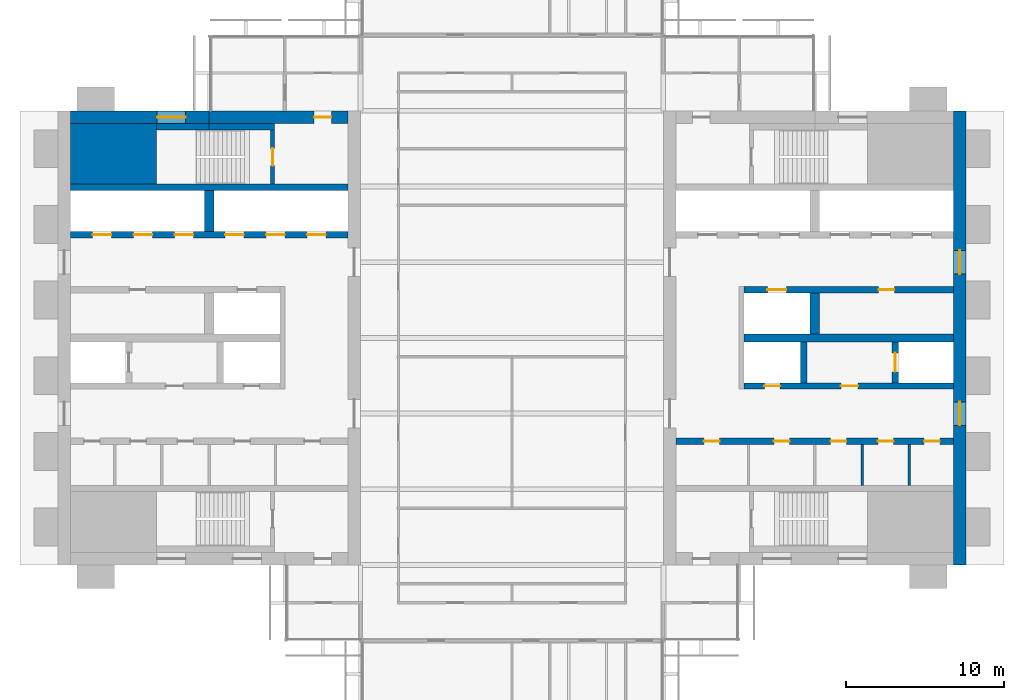
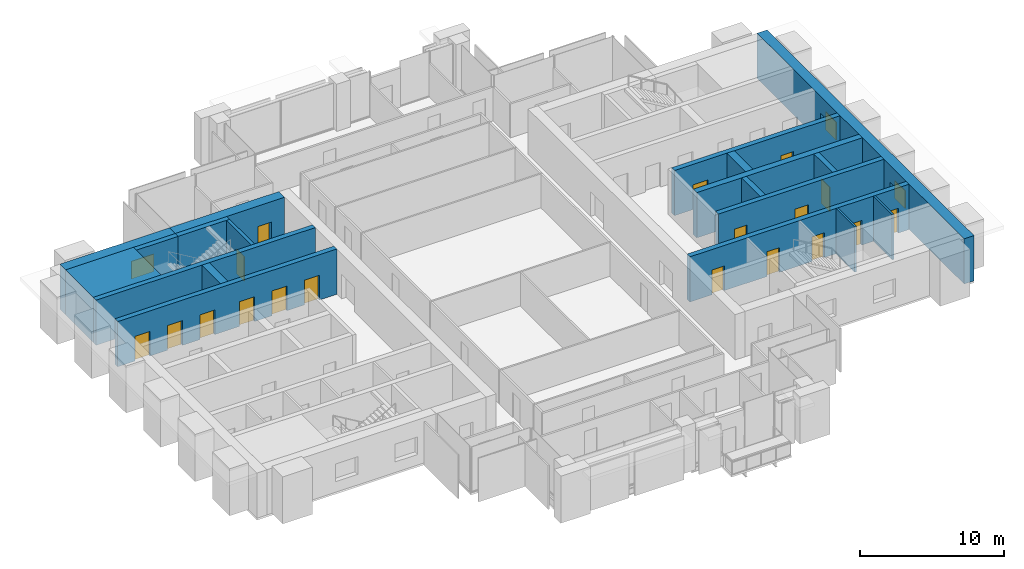
# One storey, part 10 of 14: 19 walls, 18 doors, 3 windows, 21 openings.
"""IFC4 building model written with IfcOpenShell, lengths in metres."""

from ifc_helpers import new_model, si_unit, direction, frame, frame_2d, origin, place, context, subcontext, project, spatial, rectangle, extrude, material, layer, layer_set, type_object, element, fill, save


model = new_model("IFC4")

# Units and contexts
model_context = context("Model", 3, precision=1e-05, world=origin(), true_north=direction((0.0, 1.0)))
body_context = subcontext(model_context, "Body", "Model", "MODEL_VIEW")
ifc_project = project(units=[si_unit("LENGTHUNIT", "METRE"), si_unit("AREAUNIT", "SQUARE_METRE"), si_unit("VOLUMEUNIT", "CUBIC_METRE"), si_unit("PLANEANGLEUNIT", "RADIAN"), si_unit("MASSUNIT", "GRAM", prefix="KILO")], contexts=[model_context])

# Site, building, storey
site_placement = place(None, origin())
site = spatial("IfcSite", under=ifc_project, at=site_placement, CompositionType="ELEMENT")
building_placement = place(site_placement, origin())
building = spatial("IfcBuilding", under=site, at=building_placement, Name="Baori Bourse Tower", CompositionType="ELEMENT")
storey_placement = place(building_placement, frame((0.0, 0.0, 245.199951171875)))
storey = spatial("IfcBuildingStorey", under=building, at=storey_placement, Name="L54", CompositionType="ELEMENT", Elevation=245.199951171875)

# Walls
ifc_material_1 = material(Name="Concrete f'c 50 MPa", Category="concrete")
wall_type_1 = type_object("IfcWallType", Name="Core corner block f'c 50", PredefinedType="SHEAR", material=ifc_material_1)
wall_1_placement = place(storey_placement, frame((0.800048828125, 35.675048828125, 0.0), z_axis=(0.0, 0.0, 1.0), x_axis=(1.0, 0.0, 0.0)))
element("IfcWall", 1, at=wall_1_placement, inside=storey, type_object=wall_type_1, Name="Core wall W24", PredefinedType="SHEAR", context=body_context, shape_type="SweptSolid", body=[
    extrude(rectangle(XDim=5.449951171875, YDim=3.85009765625, at=frame_2d((2.72509765625, 0.0))), origin(), (0.0, 0.0, 1.0), 3.840087890625),
])
ifc_material_2 = material(Name="Blockwork partition", Category="masonry")
ifc_layer_1 = layer(ifc_material_2, 0.14990234375)
ifc_layer_set_1 = layer_set([ifc_layer_1], Name="Core partition 150")
wall_type_2 = type_object("IfcWallType", Name="Core partition 150", PredefinedType="PARTITIONING", material=ifc_layer_set_1)
for number, where, z_axis, x_axis, name in (
    (2, (54.0, 14.64990234375, 0.0), (0.0, 0.0, 1.0), (0.0, 1.0, 0.0), "Partition wall E09"),
    (3, (51.0, 14.64990234375, 0.0), (0.0, 0.0, 1.0), (0.0, 1.0, 0.0), "Partition wall E10"),
):
    element("IfcWall", number, at=place(storey_placement, frame(where, z_axis=z_axis, x_axis=x_axis)), inside=storey, type_object=wall_type_2, Name=name, PredefinedType="PARTITIONING", context=body_context, shape_type="SweptSolid", body=[
        extrude(rectangle(XDim=2.60009765625, YDim=0.14990234375, at=frame_2d((1.300048828125, 0.0))), origin(), (0.0, 0.0, 1.0), 3.840087890625),
    ])

# Wall, opening, window
ifc_material_3 = material(Name="Concrete f'c 50 MPa", Category="concrete")
ifc_layer_2 = layer(ifc_material_3, 0.800048828125)
ifc_layer_set_2 = layer_set([ifc_layer_2], Name="Core wall 800 f'c 50")
wall_type_3 = type_object("IfcWallType", Name="Core wall 800 f'c 50", PredefinedType="SHEAR", material=ifc_layer_set_2)
wall_2_placement = place(storey_placement, frame((0.800048828125, 38.0, 0.0), z_axis=(0.0, 0.0, 1.0), x_axis=(1.0, 0.0, 0.0)))
wall_2 = element("IfcWall", 4, at=wall_2_placement, inside=storey, type_object=wall_type_3, Name="Core wall W28", PredefinedType="SHEAR", context=body_context, shape_type="SweptSolid", body=[
    extrude(rectangle(XDim=8.800048828125, YDim=0.800048828125, at=frame_2d((4.39990234375, 0.0))), origin(), (0.0, 0.0, 1.0), 3.840087890625),
])
opening_1_placement = place(wall_2_placement, frame((5.5, 0.0, 0.89990234375)))
opening_1 = element("IfcOpeningElement", 5, at=opening_1_placement, cuts=wall_2, Name="Opening L54-KW105", PredefinedType="OPENING", context=body_context, shape_type="SweptSolid", body=[
    extrude(rectangle(XDim=1.800048828125, YDim=1.5, at=frame_2d((0.89990234375, 0.75))), frame((0.0, 0.409912109375, 0.0), z_axis=(0.0, -1.0, 0.0), x_axis=(1.0, 0.0, 0.0)), (0.0, 0.0, 1.0), 0.820068359375),
])
ifc_material_4 = material(Name="Pale anodised aluminium", Category="aluminium")
window_type_1 = type_object("IfcWindowType", Name="Stair window 1800 x 1500", PartitioningType="SINGLE_PANEL", PredefinedType="WINDOW", material=ifc_material_4)
window_1_placement = place(opening_1_placement, origin())
window_1 = element("IfcWindow", 6, at=window_1_placement, inside=storey, type_object=window_type_1, Name="Stair window W L54 5", OverallHeight=1.5, OverallWidth=1.800048828125, PartitioningType="SINGLE_PANEL", PredefinedType="WINDOW", context=body_context, shape_type="SweptSolid", body=[
    extrude(rectangle(XDim=1.800048828125, YDim=1.5, at=frame_2d((0.89990234375, 0.75))), frame((0.0, 0.030029296875, 0.0), z_axis=(0.0, -1.0, 0.0), x_axis=(1.0, 0.0, 0.0)), (0.0, 0.0, 1.0), 0.06005859375),
])
fill(opening_1, window_1)

# Wall, opening, door
wall_3_placement = place(storey_placement, frame((9.60009765625, 38.0, 0.0), z_axis=(0.0, 0.0, 1.0), x_axis=(1.0, 0.0, 0.0)))
wall_3 = element("IfcWall", 7, at=wall_3_placement, inside=storey, type_object=wall_type_3, Name="Core wall W29", PredefinedType="SHEAR", context=body_context, shape_type="SweptSolid", body=[
    extrude(rectangle(XDim=8.7998046875, YDim=0.800048828125, at=frame_2d((4.39990234375, 0.0))), origin(), (0.0, 0.0, 1.0), 3.840087890625),
])
opening_2_placement = place(wall_3_placement, frame((6.64990234375, 0.0, 0.0)))
opening_2 = element("IfcOpeningElement", 8, at=opening_2_placement, cuts=wall_3, Name="Opening L54-D104", PredefinedType="OPENING", context=body_context, shape_type="SweptSolid", body=[
    extrude(rectangle(XDim=1.10009765625, YDim=2.10009765625, at=frame_2d((0.550048828125, 1.050048828125))), frame((0.0, 0.409912109375, 0.0), z_axis=(0.0, -1.0, 0.0), x_axis=(1.0, 0.0, 0.0)), (0.0, 0.0, 1.0), 0.820068359375),
])
ifc_material_5 = material(Name="Painted steel door", Category="steel")
door_type_1 = type_object("IfcDoorType", Name="Stair door 1100", OperationType="SINGLE_SWING_LEFT", PredefinedType="DOOR", material=ifc_material_5)
door_1_placement = place(opening_2_placement, origin())
door_1 = element("IfcDoor", 9, at=door_1_placement, inside=storey, type_object=door_type_1, Name="Stair vestibule door B W L54", OperationType="SINGLE_SWING_LEFT", OverallHeight=2.10009765625, OverallWidth=1.10009765625, PredefinedType="DOOR", context=body_context, shape_type="SweptSolid", body=[
    extrude(rectangle(XDim=1.10009765625, YDim=2.10009765625, at=frame_2d((0.550048828125, 1.050048828125))), frame((0.0, 0.02490234375, 0.0), z_axis=(0.0, -1.0, 0.0), x_axis=(1.0, 0.0, 0.0)), (0.0, 0.0, 1.0), 0.050048828125),
])
fill(opening_2, door_1)

# Wall, openings, windows
wall_4_placement = place(storey_placement, frame((57.199951171875, 38.39990234375, 0.0), z_axis=(0.0, 0.0, 1.0), x_axis=(0.0, -1.0, 0.0)))
wall_4 = element("IfcWall", 10, at=wall_4_placement, inside=storey, type_object=wall_type_3, Name="Core wall E01", PredefinedType="SHEAR", context=body_context, shape_type="SweptSolid", body=[
    extrude(rectangle(XDim=28.7998046875, YDim=0.800048828125, at=frame_2d((14.39990234375, 0.0))), origin(), (0.0, 0.0, 1.0), 3.840087890625),
])
opening_3_placement = place(wall_4_placement, frame((18.449951171875, 0.0, 0.89990234375)))
opening_3 = element("IfcOpeningElement", 11, at=opening_3_placement, cuts=wall_4, Name="Opening L54-KW201", PredefinedType="OPENING", context=body_context, shape_type="SweptSolid", body=[
    extrude(rectangle(XDim=1.5, YDim=1.5, at=frame_2d((0.75, 0.75))), frame((0.0, 0.409912109375, 0.0), z_axis=(0.0, -1.0, 0.0), x_axis=(1.0, 0.0, 0.0)), (0.0, 0.0, 1.0), 0.820068359375),
])
opening_4_placement = place(wall_4_placement, frame((8.85009765625, 0.0, 0.89990234375)))
opening_4 = element("IfcOpeningElement", 12, at=opening_4_placement, cuts=wall_4, Name="Opening L54-KW202", PredefinedType="OPENING", context=body_context, shape_type="SweptSolid", body=[
    extrude(rectangle(XDim=1.5, YDim=1.5, at=frame_2d((0.75, 0.75))), frame((0.0, 0.409912109375, 0.0), z_axis=(0.0, -1.0, 0.0), x_axis=(1.0, 0.0, 0.0)), (0.0, 0.0, 1.0), 0.820068359375),
])
ifc_material_6 = material(Name="Pale anodised aluminium", Category="aluminium")
window_type_2 = type_object("IfcWindowType", Name="Lobby window 1500 x 1500", PartitioningType="SINGLE_PANEL", PredefinedType="WINDOW", material=ifc_material_6)
window_2_placement = place(opening_3_placement, origin())
window_2 = element("IfcWindow", 13, at=window_2_placement, inside=storey, type_object=window_type_2, Name="Outer wall window E L54 1", OverallHeight=1.5, OverallWidth=1.5, PartitioningType="SINGLE_PANEL", PredefinedType="WINDOW", context=body_context, shape_type="SweptSolid", body=[
    extrude(rectangle(XDim=1.5, YDim=1.5, at=frame_2d((0.75, 0.75))), frame((0.0, 0.030029296875, 0.0), z_axis=(0.0, -1.0, 0.0), x_axis=(1.0, 0.0, 0.0)), (0.0, 0.0, 1.0), 0.06005859375),
])
fill(opening_3, window_2)
window_3_placement = place(opening_4_placement, origin())
window_3 = element("IfcWindow", 14, at=window_3_placement, inside=storey, type_object=window_type_2, Name="Outer wall window E L54 2", OverallHeight=1.5, OverallWidth=1.5, PartitioningType="SINGLE_PANEL", PredefinedType="WINDOW", context=body_context, shape_type="SweptSolid", body=[
    extrude(rectangle(XDim=1.5, YDim=1.5, at=frame_2d((0.75, 0.75))), frame((0.0, 0.030029296875, 0.0), z_axis=(0.0, -1.0, 0.0), x_axis=(1.0, 0.0, 0.0)), (0.0, 0.0, 1.0), 0.06005859375),
])
fill(opening_4, window_3)

# Wall, opening, door
ifc_material_7 = material(Name="Concrete f'c 50 MPa", Category="concrete")
ifc_layer_3 = layer(ifc_material_7, 0.25)
ifc_layer_set_3 = layer_set([ifc_layer_3], Name="Shaft wall 250 f'c 50")
wall_type_4 = type_object("IfcWallType", Name="Shaft wall 250 f'c 50", PredefinedType="SHEAR", material=ifc_layer_set_3)
wall_5_placement = place(storey_placement, frame((13.625, 33.75, 0.0), z_axis=(0.0, 0.0, 1.0), x_axis=(0.0, 1.0, 0.0)))
wall_5 = element("IfcWall", 15, at=wall_5_placement, inside=storey, type_object=wall_type_4, Name="Core wall W25", PredefinedType="SHEAR", context=body_context, shape_type="SweptSolid", body=[
    extrude(rectangle(XDim=3.449951171875, YDim=0.25, at=frame_2d((1.72509765625, 0.0))), origin(), (0.0, 0.0, 1.0), 3.840087890625),
])
opening_5_placement = place(wall_5_placement, frame((1.175048828125, 0.0, 0.0)))
opening_5 = element("IfcOpeningElement", 16, at=opening_5_placement, cuts=wall_5, Name="Opening L54-D103", PredefinedType="OPENING", context=body_context, shape_type="SweptSolid", body=[
    extrude(rectangle(XDim=1.10009765625, YDim=2.10009765625, at=frame_2d((0.550048828125, 1.050048828125))), frame((0.0, 0.135009765625, 0.0), z_axis=(0.0, -1.0, 0.0), x_axis=(1.0, 0.0, 0.0)), (0.0, 0.0, 1.0), 0.27001953125),
])
door_2_placement = place(opening_5_placement, origin())
door_2 = element("IfcDoor", 17, at=door_2_placement, inside=storey, type_object=door_type_1, Name="Stair door B W L54", OperationType="SINGLE_SWING_LEFT", OverallHeight=2.10009765625, OverallWidth=1.10009765625, PredefinedType="DOOR", context=body_context, shape_type="SweptSolid", body=[
    extrude(rectangle(XDim=1.10009765625, YDim=2.10009765625, at=frame_2d((0.550048828125, 1.050048828125))), frame((0.0, 0.02490234375, 0.0), z_axis=(0.0, -1.0, 0.0), x_axis=(1.0, 0.0, 0.0)), (0.0, 0.0, 1.0), 0.050048828125),
])
fill(opening_5, door_2)

# Wall, openings, doors
ifc_material_8 = material(Name="Concrete f'c 50 MPa", Category="concrete")
ifc_layer_4 = layer(ifc_material_8, 0.39990234375)
ifc_layer_set_4 = layer_set([ifc_layer_4], Name="Shaft wall 400 f'c 50")
wall_type_5 = type_object("IfcWallType", Name="Shaft wall 400 f'c 50", PredefinedType="SHEAR", material=ifc_layer_set_4)
wall_6_placement = place(storey_placement, frame((0.800048828125, 30.550048828125, 0.0), z_axis=(0.0, 0.0, 1.0), x_axis=(1.0, 0.0, 0.0)))
wall_6 = element("IfcWall", 18, at=wall_6_placement, inside=storey, type_object=wall_type_5, Name="Core wall W21", PredefinedType="SHEAR", context=body_context, shape_type="SweptSolid", body=[
    extrude(rectangle(XDim=17.599853515625, YDim=0.39990234375, at=frame_2d((8.7998046875, 0.0))), origin(), (0.0, 0.0, 1.0), 3.840087890625),
])
opening_6_placement = place(wall_6_placement, frame((1.39990234375, 0.0, 0.0)))
opening_6 = element("IfcOpeningElement", 19, at=opening_6_placement, cuts=wall_6, Name="Opening L54-D115", PredefinedType="OPENING", context=body_context, shape_type="SweptSolid", body=[
    extrude(rectangle(XDim=1.199951171875, YDim=2.10009765625, at=frame_2d((0.60009765625, 1.050048828125))), frame((0.0, 0.2099609375, 0.0), z_axis=(0.0, -1.0, 0.0), x_axis=(1.0, 0.0, 0.0)), (0.0, 0.0, 1.0), 0.419921875),
])
opening_7_placement = place(wall_6_placement, frame((4.0, 0.0, 0.0)))
opening_7 = element("IfcOpeningElement", 20, at=opening_7_placement, cuts=wall_6, Name="Opening L54-D116", PredefinedType="OPENING", context=body_context, shape_type="SweptSolid", body=[
    extrude(rectangle(XDim=1.199951171875, YDim=2.10009765625, at=frame_2d((0.60009765625, 1.050048828125))), frame((0.0, 0.2099609375, 0.0), z_axis=(0.0, -1.0, 0.0), x_axis=(1.0, 0.0, 0.0)), (0.0, 0.0, 1.0), 0.419921875),
])
opening_8_placement = place(wall_6_placement, frame((6.60009765625, 0.0, 0.0)))
opening_8 = element("IfcOpeningElement", 21, at=opening_8_placement, cuts=wall_6, Name="Opening L54-D117", PredefinedType="OPENING", context=body_context, shape_type="SweptSolid", body=[
    extrude(rectangle(XDim=1.199951171875, YDim=2.10009765625, at=frame_2d((0.60009765625, 1.050048828125))), frame((0.0, 0.2099609375, 0.0), z_axis=(0.0, -1.0, 0.0), x_axis=(1.0, 0.0, 0.0)), (0.0, 0.0, 1.0), 0.419921875),
])
opening_9_placement = place(wall_6_placement, frame((9.800048828125, 0.0, 0.0)))
opening_9 = element("IfcOpeningElement", 22, at=opening_9_placement, cuts=wall_6, Name="Opening L54-D118", PredefinedType="OPENING", context=body_context, shape_type="SweptSolid", body=[
    extrude(rectangle(XDim=1.199951171875, YDim=2.10009765625, at=frame_2d((0.60009765625, 1.050048828125))), frame((0.0, 0.2099609375, 0.0), z_axis=(0.0, -1.0, 0.0), x_axis=(1.0, 0.0, 0.0)), (0.0, 0.0, 1.0), 0.419921875),
])
opening_10_placement = place(wall_6_placement, frame((12.39990234375, 0.0, 0.0)))
opening_10 = element("IfcOpeningElement", 23, at=opening_10_placement, cuts=wall_6, Name="Opening L54-D119", PredefinedType="OPENING", context=body_context, shape_type="SweptSolid", body=[
    extrude(rectangle(XDim=1.199951171875, YDim=2.10009765625, at=frame_2d((0.60009765625, 1.050048828125))), frame((0.0, 0.2099609375, 0.0), z_axis=(0.0, -1.0, 0.0), x_axis=(1.0, 0.0, 0.0)), (0.0, 0.0, 1.0), 0.419921875),
])
opening_11_placement = place(wall_6_placement, frame((15.0, 0.0, 0.0)))
opening_11 = element("IfcOpeningElement", 24, at=opening_11_placement, cuts=wall_6, Name="Opening L54-D120", PredefinedType="OPENING", context=body_context, shape_type="SweptSolid", body=[
    extrude(rectangle(XDim=1.199951171875, YDim=2.10009765625, at=frame_2d((0.60009765625, 1.050048828125))), frame((0.0, 0.2099609375, 0.0), z_axis=(0.0, -1.0, 0.0), x_axis=(1.0, 0.0, 0.0)), (0.0, 0.0, 1.0), 0.419921875),
])
ifc_material_9 = material(Name="Stainless steel door", Category="steel")
door_type_2 = type_object("IfcDoorType", Name="Lift landing door", OperationType="DOUBLE_DOOR_SLIDING", PredefinedType="DOOR", material=ifc_material_9)
door_3_placement = place(opening_6_placement, origin())
door_3 = element("IfcDoor", 25, at=door_3_placement, inside=storey, type_object=door_type_2, Name="Lift landing door HR1 W L54", OperationType="DOUBLE_DOOR_SLIDING", OverallHeight=2.10009765625, OverallWidth=1.199951171875, PredefinedType="DOOR", context=body_context, shape_type="SweptSolid", body=[
    extrude(rectangle(XDim=1.199951171875, YDim=2.10009765625, at=frame_2d((0.60009765625, 1.050048828125))), frame((0.0, 0.02490234375, 0.0), z_axis=(0.0, -1.0, 0.0), x_axis=(1.0, 0.0, 0.0)), (0.0, 0.0, 1.0), 0.050048828125),
])
fill(opening_6, door_3)
door_4_placement = place(opening_7_placement, origin())
door_4 = element("IfcDoor", 26, at=door_4_placement, inside=storey, type_object=door_type_2, Name="Lift landing door HR2 W L54", OperationType="DOUBLE_DOOR_SLIDING", OverallHeight=2.10009765625, OverallWidth=1.199951171875, PredefinedType="DOOR", context=body_context, shape_type="SweptSolid", body=[
    extrude(rectangle(XDim=1.199951171875, YDim=2.10009765625, at=frame_2d((0.60009765625, 1.050048828125))), frame((0.0, 0.02490234375, 0.0), z_axis=(0.0, -1.0, 0.0), x_axis=(1.0, 0.0, 0.0)), (0.0, 0.0, 1.0), 0.050048828125),
])
fill(opening_7, door_4)
door_5_placement = place(opening_8_placement, origin())
door_5 = element("IfcDoor", 27, at=door_5_placement, inside=storey, type_object=door_type_2, Name="Lift landing door HR3 W L54", OperationType="DOUBLE_DOOR_SLIDING", OverallHeight=2.10009765625, OverallWidth=1.199951171875, PredefinedType="DOOR", context=body_context, shape_type="SweptSolid", body=[
    extrude(rectangle(XDim=1.199951171875, YDim=2.10009765625, at=frame_2d((0.60009765625, 1.050048828125))), frame((0.0, 0.02490234375, 0.0), z_axis=(0.0, -1.0, 0.0), x_axis=(1.0, 0.0, 0.0)), (0.0, 0.0, 1.0), 0.050048828125),
])
fill(opening_8, door_5)
door_6_placement = place(opening_9_placement, origin())
door_6 = element("IfcDoor", 28, at=door_6_placement, inside=storey, type_object=door_type_2, Name="Lift landing door HR4 W L54", OperationType="DOUBLE_DOOR_SLIDING", OverallHeight=2.10009765625, OverallWidth=1.199951171875, PredefinedType="DOOR", context=body_context, shape_type="SweptSolid", body=[
    extrude(rectangle(XDim=1.199951171875, YDim=2.10009765625, at=frame_2d((0.60009765625, 1.050048828125))), frame((0.0, 0.02490234375, 0.0), z_axis=(0.0, -1.0, 0.0), x_axis=(1.0, 0.0, 0.0)), (0.0, 0.0, 1.0), 0.050048828125),
])
fill(opening_9, door_6)
door_7_placement = place(opening_10_placement, origin())
door_7 = element("IfcDoor", 29, at=door_7_placement, inside=storey, type_object=door_type_2, Name="Lift landing door HR5 W L54", OperationType="DOUBLE_DOOR_SLIDING", OverallHeight=2.10009765625, OverallWidth=1.199951171875, PredefinedType="DOOR", context=body_context, shape_type="SweptSolid", body=[
    extrude(rectangle(XDim=1.199951171875, YDim=2.10009765625, at=frame_2d((0.60009765625, 1.050048828125))), frame((0.0, 0.02490234375, 0.0), z_axis=(0.0, -1.0, 0.0), x_axis=(1.0, 0.0, 0.0)), (0.0, 0.0, 1.0), 0.050048828125),
])
fill(opening_10, door_7)
door_8_placement = place(opening_11_placement, origin())
door_8 = element("IfcDoor", 30, at=door_8_placement, inside=storey, type_object=door_type_2, Name="Lift landing door HR6 W L54", OperationType="DOUBLE_DOOR_SLIDING", OverallHeight=2.10009765625, OverallWidth=1.199951171875, PredefinedType="DOOR", context=body_context, shape_type="SweptSolid", body=[
    extrude(rectangle(XDim=1.199951171875, YDim=2.10009765625, at=frame_2d((0.60009765625, 1.050048828125))), frame((0.0, 0.02490234375, 0.0), z_axis=(0.0, -1.0, 0.0), x_axis=(1.0, 0.0, 0.0)), (0.0, 0.0, 1.0), 0.050048828125),
])
fill(opening_11, door_8)

# Walls
wall_7_placement = place(storey_placement, frame((0.800048828125, 33.550048828125, 0.0), z_axis=(0.0, 0.0, 1.0), x_axis=(1.0, 0.0, 0.0)))
element("IfcWall", 31, at=wall_7_placement, inside=storey, type_object=wall_type_5, Name="Core wall W23", PredefinedType="SHEAR", context=body_context, shape_type="SweptSolid", body=[
    extrude(rectangle(XDim=17.599853515625, YDim=0.39990234375, at=frame_2d((8.7998046875, 0.0))), origin(), (0.0, 0.0, 1.0), 3.840087890625),
])
wall_8_placement = place(storey_placement, frame((6.25, 37.39990234375, 0.0), z_axis=(0.0, 0.0, 1.0), x_axis=(1.0, 0.0, 0.0)))
element("IfcWall", 32, at=wall_8_placement, inside=storey, type_object=wall_type_5, Name="Core wall W26", PredefinedType="SHEAR", context=body_context, shape_type="SweptSolid", body=[
    extrude(rectangle(XDim=3.35009765625, YDim=0.39990234375, at=frame_2d((1.675048828125, 0.0))), origin(), (0.0, 0.0, 1.0), 3.840087890625),
])
wall_9_placement = place(storey_placement, frame((9.60009765625, 37.39990234375, 0.0), z_axis=(0.0, 0.0, 1.0), x_axis=(1.0, 0.0, 0.0)))
element("IfcWall", 33, at=wall_9_placement, inside=storey, type_object=wall_type_5, Name="Core wall W27", PredefinedType="SHEAR", context=body_context, shape_type="SweptSolid", body=[
    extrude(rectangle(XDim=4.14990234375, YDim=0.39990234375, at=frame_2d((2.074951171875, 0.0))), origin(), (0.0, 0.0, 1.0), 3.840087890625),
])

# Wall, openings, doors
wall_10_placement = place(storey_placement, frame((39.199951171875, 17.449951171875, 0.0), z_axis=(0.0, 0.0, 1.0), x_axis=(1.0, 0.0, 0.0)))
wall_10 = element("IfcWall", 34, at=wall_10_placement, inside=storey, type_object=wall_type_5, Name="Core wall E13", PredefinedType="SHEAR", context=body_context, shape_type="SweptSolid", body=[
    extrude(rectangle(XDim=17.60009765625, YDim=0.39990234375, at=frame_2d((8.800048828125, 0.0))), origin(), (0.0, 0.0, 1.0), 3.840087890625),
])
opening_12_placement = place(wall_10_placement, frame((15.737548828125, 0.0, 0.0)))
opening_12 = element("IfcOpeningElement", 35, at=opening_12_placement, cuts=wall_10, Name="Opening L54-D209", PredefinedType="OPENING", context=body_context, shape_type="SweptSolid", body=[
    extrude(rectangle(XDim=1.0, YDim=2.10009765625, at=frame_2d((0.5, 1.050048828125))), frame((0.0, 0.2099609375, 0.0), z_axis=(0.0, -1.0, 0.0), x_axis=(1.0, 0.0, 0.0)), (0.0, 0.0, 1.0), 0.419921875),
])
opening_13_placement = place(wall_10_placement, frame((12.800048828125, 0.0, 0.0)))
opening_13 = element("IfcOpeningElement", 36, at=opening_13_placement, cuts=wall_10, Name="Opening L54-D210", PredefinedType="OPENING", context=body_context, shape_type="SweptSolid", body=[
    extrude(rectangle(XDim=1.0, YDim=2.10009765625, at=frame_2d((0.5, 1.050048828125))), frame((0.0, 0.2099609375, 0.0), z_axis=(0.0, -1.0, 0.0), x_axis=(1.0, 0.0, 0.0)), (0.0, 0.0, 1.0), 0.419921875),
])
opening_14_placement = place(wall_10_placement, frame((9.800048828125, 0.0, 0.0)))
opening_14 = element("IfcOpeningElement", 37, at=opening_14_placement, cuts=wall_10, Name="Opening L54-D211", PredefinedType="OPENING", context=body_context, shape_type="SweptSolid", body=[
    extrude(rectangle(XDim=1.0, YDim=2.10009765625, at=frame_2d((0.5, 1.050048828125))), frame((0.0, 0.2099609375, 0.0), z_axis=(0.0, -1.0, 0.0), x_axis=(1.0, 0.0, 0.0)), (0.0, 0.0, 1.0), 0.419921875),
])
opening_15_placement = place(wall_10_placement, frame((6.199951171875, 0.0, 0.0)))
opening_15 = element("IfcOpeningElement", 38, at=opening_15_placement, cuts=wall_10, Name="Opening L54-D212", PredefinedType="OPENING", context=body_context, shape_type="SweptSolid", body=[
    extrude(rectangle(XDim=1.0, YDim=2.10009765625, at=frame_2d((0.5, 1.050048828125))), frame((0.0, 0.2099609375, 0.0), z_axis=(0.0, -1.0, 0.0), x_axis=(1.0, 0.0, 0.0)), (0.0, 0.0, 1.0), 0.419921875),
])
opening_16_placement = place(wall_10_placement, frame((1.762451171875, 0.0, 0.0)))
opening_16 = element("IfcOpeningElement", 39, at=opening_16_placement, cuts=wall_10, Name="Opening L54-D213", PredefinedType="OPENING", context=body_context, shape_type="SweptSolid", body=[
    extrude(rectangle(XDim=1.0, YDim=2.10009765625, at=frame_2d((0.5, 1.050048828125))), frame((0.0, 0.2099609375, 0.0), z_axis=(0.0, -1.0, 0.0), x_axis=(1.0, 0.0, 0.0)), (0.0, 0.0, 1.0), 0.419921875),
])
ifc_material_10 = material(Name="Painted steel door", Category="steel")
door_type_3 = type_object("IfcDoorType", Name="Core door 1000", OperationType="SINGLE_SWING_LEFT", PredefinedType="DOOR", material=ifc_material_10)
door_9_placement = place(opening_12_placement, origin())
door_9 = element("IfcDoor", 40, at=door_9_placement, inside=storey, type_object=door_type_3, Name="Janitor'S Closet door E L54", OperationType="SINGLE_SWING_LEFT", OverallHeight=2.10009765625, OverallWidth=1.0, PredefinedType="DOOR", context=body_context, shape_type="SweptSolid", body=[
    extrude(rectangle(XDim=1.0, YDim=2.10009765625, at=frame_2d((0.5, 1.050048828125))), frame((0.0, 0.02490234375, 0.0), z_axis=(0.0, -1.0, 0.0), x_axis=(1.0, 0.0, 0.0)), (0.0, 0.0, 1.0), 0.050048828125),
])
fill(opening_12, door_9)
door_10_placement = place(opening_13_placement, origin())
door_10 = element("IfcDoor", 41, at=door_10_placement, inside=storey, type_object=door_type_3, Name="Accessible Wc door E L54", OperationType="SINGLE_SWING_LEFT", OverallHeight=2.10009765625, OverallWidth=1.0, PredefinedType="DOOR", context=body_context, shape_type="SweptSolid", body=[
    extrude(rectangle(XDim=1.0, YDim=2.10009765625, at=frame_2d((0.5, 1.050048828125))), frame((0.0, 0.02490234375, 0.0), z_axis=(0.0, -1.0, 0.0), x_axis=(1.0, 0.0, 0.0)), (0.0, 0.0, 1.0), 0.050048828125),
])
fill(opening_13, door_10)
door_11_placement = place(opening_15_placement, origin())
door_11 = element("IfcDoor", 42, at=door_11_placement, inside=storey, type_object=door_type_3, Name="Men'S Wc door E L54", OperationType="SINGLE_SWING_LEFT", OverallHeight=2.10009765625, OverallWidth=1.0, PredefinedType="DOOR", context=body_context, shape_type="SweptSolid", body=[
    extrude(rectangle(XDim=1.0, YDim=2.10009765625, at=frame_2d((0.5, 1.050048828125))), frame((0.0, 0.02490234375, 0.0), z_axis=(0.0, -1.0, 0.0), x_axis=(1.0, 0.0, 0.0)), (0.0, 0.0, 1.0), 0.050048828125),
])
fill(opening_15, door_11)
door_12_placement = place(opening_16_placement, origin())
door_12 = element("IfcDoor", 43, at=door_12_placement, inside=storey, type_object=door_type_3, Name="Women'S Wc door E L54", OperationType="SINGLE_SWING_LEFT", OverallHeight=2.10009765625, OverallWidth=1.0, PredefinedType="DOOR", context=body_context, shape_type="SweptSolid", body=[
    extrude(rectangle(XDim=1.0, YDim=2.10009765625, at=frame_2d((0.5, 1.050048828125))), frame((0.0, 0.02490234375, 0.0), z_axis=(0.0, -1.0, 0.0), x_axis=(1.0, 0.0, 0.0)), (0.0, 0.0, 1.0), 0.050048828125),
])
fill(opening_16, door_12)
ifc_material_11 = material(Name="Painted steel door", Category="steel")
door_type_4 = type_object("IfcDoorType", Name="Plant room door 1000", OperationType="SINGLE_SWING_LEFT", PredefinedType="DOOR", material=ifc_material_11)
door_13_placement = place(opening_14_placement, origin())
door_13 = element("IfcDoor", 44, at=door_13_placement, inside=storey, type_object=door_type_4, Name="Plumbing Equipment Room door E L54", OperationType="SINGLE_SWING_LEFT", OverallHeight=2.10009765625, OverallWidth=1.0, PredefinedType="DOOR", context=body_context, shape_type="SweptSolid", body=[
    extrude(rectangle(XDim=1.0, YDim=2.10009765625, at=frame_2d((0.5, 1.050048828125))), frame((0.0, 0.02490234375, 0.0), z_axis=(0.0, -1.0, 0.0), x_axis=(1.0, 0.0, 0.0)), (0.0, 0.0, 1.0), 0.050048828125),
])
fill(opening_14, door_13)

wall_11_placement = place(storey_placement, frame((43.5, 20.949951171875, 0.0), z_axis=(0.0, 0.0, 1.0), x_axis=(1.0, 0.0, 0.0)))
wall_11 = element("IfcWall", 45, at=wall_11_placement, inside=storey, type_object=wall_type_5, Name="Core wall E14", PredefinedType="SHEAR", context=body_context, shape_type="SweptSolid", body=[
    extrude(rectangle(XDim=13.300048828125, YDim=0.39990234375, at=frame_2d((6.64990234375, 0.0))), origin(), (0.0, 0.0, 1.0), 3.840087890625),
])
opening_17_placement = place(wall_11_placement, frame((6.14990234375, 0.0, 0.0)))
opening_17 = element("IfcOpeningElement", 46, at=opening_17_placement, cuts=wall_11, Name="Opening L54-D205", PredefinedType="OPENING", context=body_context, shape_type="SweptSolid", body=[
    extrude(rectangle(XDim=1.10009765625, YDim=2.10009765625, at=frame_2d((0.550048828125, 1.050048828125))), frame((0.0, 0.2099609375, 0.0), z_axis=(0.0, -1.0, 0.0), x_axis=(1.0, 0.0, 0.0)), (0.0, 0.0, 1.0), 0.419921875),
])
opening_18_placement = place(wall_11_placement, frame((1.300048828125, 0.0, 0.0)))
opening_18 = element("IfcOpeningElement", 47, at=opening_18_placement, cuts=wall_11, Name="Opening L54-D206", PredefinedType="OPENING", context=body_context, shape_type="SweptSolid", body=[
    extrude(rectangle(XDim=1.0, YDim=2.10009765625, at=frame_2d((0.5, 1.050048828125))), frame((0.0, 0.2099609375, 0.0), z_axis=(0.0, -1.0, 0.0), x_axis=(1.0, 0.0, 0.0)), (0.0, 0.0, 1.0), 0.419921875),
])
ifc_material_12 = material(Name="Painted steel door", Category="steel")
door_type_5 = type_object("IfcDoorType", Name="Lobby door 1100", OperationType="SINGLE_SWING_LEFT", PredefinedType="DOOR", material=ifc_material_12)
door_14_placement = place(opening_17_placement, origin())
door_14 = element("IfcDoor", 48, at=door_14_placement, inside=storey, type_object=door_type_5, Name="Firefighting lobby door E L54", OperationType="SINGLE_SWING_LEFT", OverallHeight=2.10009765625, OverallWidth=1.10009765625, PredefinedType="DOOR", context=body_context, shape_type="SweptSolid", body=[
    extrude(rectangle(XDim=1.10009765625, YDim=2.10009765625, at=frame_2d((0.550048828125, 1.050048828125))), frame((0.0, 0.02490234375, 0.0), z_axis=(0.0, -1.0, 0.0), x_axis=(1.0, 0.0, 0.0)), (0.0, 0.0, 1.0), 0.050048828125),
])
fill(opening_17, door_14)
ifc_material_13 = material(Name="Painted steel door", Category="steel")
door_type_6 = type_object("IfcDoorType", Name="Shaft door 1000", OperationType="SINGLE_SWING_LEFT", PredefinedType="DOOR", material=ifc_material_13)
door_15_placement = place(opening_18_placement, origin())
door_15 = element("IfcDoor", 49, at=door_15_placement, inside=storey, type_object=door_type_6, Name="Riser room door E L54", OperationType="SINGLE_SWING_LEFT", OverallHeight=2.10009765625, OverallWidth=1.0, PredefinedType="DOOR", context=body_context, shape_type="SweptSolid", body=[
    extrude(rectangle(XDim=1.0, YDim=2.10009765625, at=frame_2d((0.5, 1.050048828125))), frame((0.0, 0.02490234375, 0.0), z_axis=(0.0, -1.0, 0.0), x_axis=(1.0, 0.0, 0.0)), (0.0, 0.0, 1.0), 0.050048828125),
])
fill(opening_18, door_15)

# Wall, opening, door
wall_12_placement = place(storey_placement, frame((53.10009765625, 21.14990234375, 0.0), z_axis=(0.0, 0.0, 1.0), x_axis=(0.0, 1.0, 0.0)))
wall_12 = element("IfcWall", 50, at=wall_12_placement, inside=storey, type_object=wall_type_5, Name="Core wall E16", PredefinedType="SHEAR", context=body_context, shape_type="SweptSolid", body=[
    extrude(rectangle(XDim=2.60009765625, YDim=0.39990234375, at=frame_2d((1.300048828125, 0.0))), origin(), (0.0, 0.0, 1.0), 3.840087890625),
])
opening_19_placement = place(wall_12_placement, frame((0.699951171875, 0.0, 0.0)))
opening_19 = element("IfcOpeningElement", 51, at=opening_19_placement, cuts=wall_12, Name="Opening L54-D222", PredefinedType="OPENING", context=body_context, shape_type="SweptSolid", body=[
    extrude(rectangle(XDim=1.199951171875, YDim=2.10009765625, at=frame_2d((0.60009765625, 1.050048828125))), frame((0.0, 0.2099609375, 0.0), z_axis=(0.0, -1.0, 0.0), x_axis=(1.0, 0.0, 0.0)), (0.0, 0.0, 1.0), 0.419921875),
])
door_16_placement = place(opening_19_placement, origin())
door_16 = element("IfcDoor", 52, at=door_16_placement, inside=storey, type_object=door_type_2, Name="Lift landing door FF2 E L54", OperationType="DOUBLE_DOOR_SLIDING", OverallHeight=2.10009765625, OverallWidth=1.199951171875, PredefinedType="DOOR", context=body_context, shape_type="SweptSolid", body=[
    extrude(rectangle(XDim=1.199951171875, YDim=2.10009765625, at=frame_2d((0.60009765625, 1.050048828125))), frame((0.0, 0.02490234375, 0.0), z_axis=(0.0, -1.0, 0.0), x_axis=(1.0, 0.0, 0.0)), (0.0, 0.0, 1.0), 0.050048828125),
])
fill(opening_19, door_16)

# Wall
wall_13_placement = place(storey_placement, frame((47.300048828125, 21.14990234375, 0.0), z_axis=(0.0, 0.0, 1.0), x_axis=(0.0, 1.0, 0.0)))
element("IfcWall", 53, at=wall_13_placement, inside=storey, type_object=wall_type_5, Name="Core wall E17", PredefinedType="SHEAR", context=body_context, shape_type="SweptSolid", body=[
    extrude(rectangle(XDim=2.60009765625, YDim=0.39990234375, at=frame_2d((1.300048828125, 0.0))), origin(), (0.0, 0.0, 1.0), 3.840087890625),
])

# Wall, openings, doors
wall_14_placement = place(storey_placement, frame((43.5, 27.050048828125, 0.0), z_axis=(0.0, 0.0, 1.0), x_axis=(1.0, 0.0, 0.0)))
wall_14 = element("IfcWall", 54, at=wall_14_placement, inside=storey, type_object=wall_type_5, Name="Core wall E20", PredefinedType="SHEAR", context=body_context, shape_type="SweptSolid", body=[
    extrude(rectangle(XDim=13.300048828125, YDim=0.39990234375, at=frame_2d((6.64990234375, 0.0))), origin(), (0.0, 0.0, 1.0), 3.840087890625),
])
opening_20_placement = place(wall_14_placement, frame((8.550048828125, 0.0, 0.0)))
opening_20 = element("IfcOpeningElement", 55, at=opening_20_placement, cuts=wall_14, Name="Opening L54-D214", PredefinedType="OPENING", context=body_context, shape_type="SweptSolid", body=[
    extrude(rectangle(XDim=1.0, YDim=2.10009765625, at=frame_2d((0.5, 1.050048828125))), frame((0.0, 0.2099609375, 0.0), z_axis=(0.0, -1.0, 0.0), x_axis=(1.0, 0.0, 0.0)), (0.0, 0.0, 1.0), 0.419921875),
])
opening_21_placement = place(wall_14_placement, frame((1.5, 0.0, 0.0)))
opening_21 = element("IfcOpeningElement", 56, at=opening_21_placement, cuts=wall_14, Name="Opening L54-D221", PredefinedType="OPENING", context=body_context, shape_type="SweptSolid", body=[
    extrude(rectangle(XDim=1.199951171875, YDim=2.10009765625, at=frame_2d((0.60009765625, 1.050048828125))), frame((0.0, 0.2099609375, 0.0), z_axis=(0.0, -1.0, 0.0), x_axis=(1.0, 0.0, 0.0)), (0.0, 0.0, 1.0), 0.419921875),
])
door_17_placement = place(opening_20_placement, origin())
door_17 = element("IfcDoor", 57, at=door_17_placement, inside=storey, type_object=door_type_3, Name="Copy Room door E L54", OperationType="SINGLE_SWING_LEFT", OverallHeight=2.10009765625, OverallWidth=1.0, PredefinedType="DOOR", context=body_context, shape_type="SweptSolid", body=[
    extrude(rectangle(XDim=1.0, YDim=2.10009765625, at=frame_2d((0.5, 1.050048828125))), frame((0.0, 0.02490234375, 0.0), z_axis=(0.0, -1.0, 0.0), x_axis=(1.0, 0.0, 0.0)), (0.0, 0.0, 1.0), 0.050048828125),
])
fill(opening_20, door_17)
door_18_placement = place(opening_21_placement, origin())
door_18 = element("IfcDoor", 58, at=door_18_placement, inside=storey, type_object=door_type_2, Name="Lift landing door SV1 E L54", OperationType="DOUBLE_DOOR_SLIDING", OverallHeight=2.10009765625, OverallWidth=1.199951171875, PredefinedType="DOOR", context=body_context, shape_type="SweptSolid", body=[
    extrude(rectangle(XDim=1.199951171875, YDim=2.10009765625, at=frame_2d((0.60009765625, 1.050048828125))), frame((0.0, 0.02490234375, 0.0), z_axis=(0.0, -1.0, 0.0), x_axis=(1.0, 0.0, 0.0)), (0.0, 0.0, 1.0), 0.050048828125),
])
fill(opening_21, door_18)

# Walls
ifc_material_14 = material(Name="Concrete f'c 50 MPa", Category="concrete")
ifc_layer_5 = layer(ifc_material_14, 0.5)
ifc_layer_set_5 = layer_set([ifc_layer_5], Name="Shaft wall 500 f'c 50")
wall_type_6 = type_object("IfcWallType", Name="Shaft wall 500 f'c 50", PredefinedType="SHEAR", material=ifc_layer_set_5)
wall_15_placement = place(storey_placement, frame((43.5, 24.0, 0.0), z_axis=(0.0, 0.0, 1.0), x_axis=(1.0, 0.0, 0.0)))
element("IfcWall", 59, at=wall_15_placement, inside=storey, type_object=wall_type_6, Name="Core wall E18", PredefinedType="SHEAR", context=body_context, shape_type="SweptSolid", body=[
    extrude(rectangle(XDim=13.300048828125, YDim=0.5, at=frame_2d((6.64990234375, 0.0))), origin(), (0.0, 0.0, 1.0), 3.840087890625),
])
ifc_material_15 = material(Name="Concrete f'c 50 MPa", Category="concrete")
ifc_layer_6 = layer(ifc_material_15, 0.60009765625)
ifc_layer_set_6 = layer_set([ifc_layer_6], Name="Shaft wall 600 f'c 50")
wall_type_7 = type_object("IfcWallType", Name="Shaft wall 600 f'c 50", PredefinedType="SHEAR", material=ifc_layer_set_6)
for number, where, z_axis, x_axis, name in (
    (60, (9.60009765625, 30.75, 0.0), (0.0, 0.0, 1.0), (0.0, 1.0, 0.0), "Core wall W22"),
    (61, (48.0, 24.25, 0.0), (0.0, 0.0, 1.0), (0.0, 1.0, 0.0), "Core wall E19"),
):
    element("IfcWall", number, at=place(storey_placement, frame(where, z_axis=z_axis, x_axis=x_axis)), inside=storey, type_object=wall_type_7, Name=name, PredefinedType="SHEAR", context=body_context, shape_type="SweptSolid", body=[
        extrude(rectangle(XDim=2.60009765625, YDim=0.60009765625, at=frame_2d((1.300048828125, 0.0))), origin(), (0.0, 0.0, 1.0), 3.840087890625),
    ])

save(model, "model.ifc")
